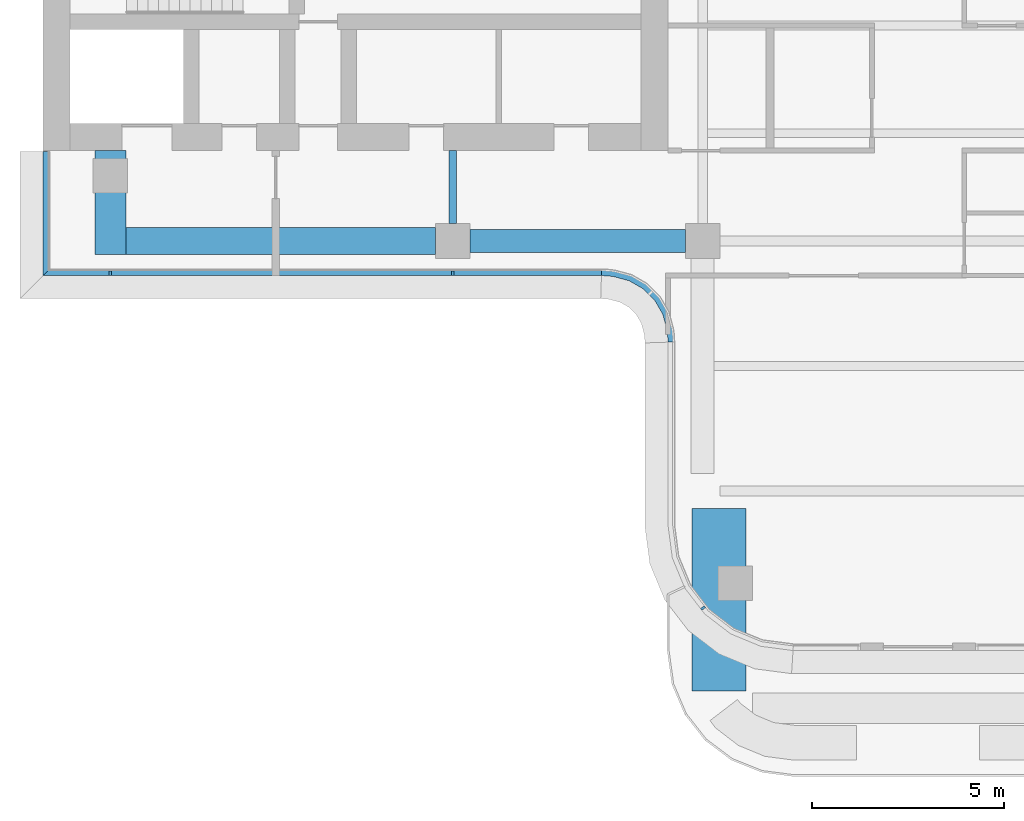
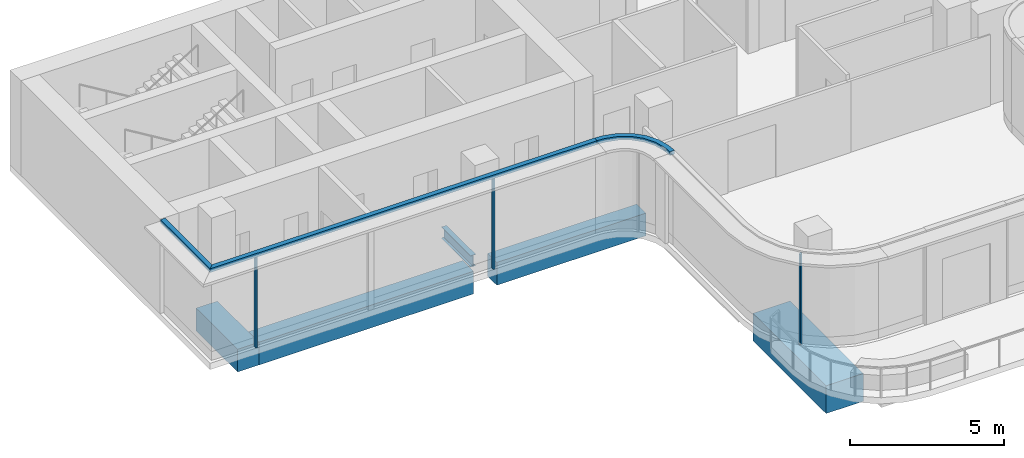
# One storey, part 2 of 11: 6 members, 5 beams, 4 elements without a shape of their own.
"""IFC4 building model written with IfcOpenShell, lengths in metres."""

from ifc_helpers import new_model, si_unit, direction, frame, origin, origin_2d, place, context, subcontext, project, spatial, polyline, rectangle, i_section, outline, extrude, source, transform, mapped, material, layer, layer_set, material_profile, profile_set, type_object, element, aggregate, save


model = new_model("IFC4")

# Units and contexts
model_context = context("Model", 3, precision=1e-05, world=origin(), true_north=direction((0.0, 1.0)))
body_context = subcontext(model_context, "Body", "Model", "MODEL_VIEW")
ifc_project = project(units=[si_unit("LENGTHUNIT", "METRE"), si_unit("AREAUNIT", "SQUARE_METRE"), si_unit("VOLUMEUNIT", "CUBIC_METRE"), si_unit("PLANEANGLEUNIT", "RADIAN"), si_unit("MASSUNIT", "GRAM", prefix="KILO")], contexts=[model_context])

# Site, building, storey
site_placement = place(None, origin())
site = spatial("IfcSite", under=ifc_project, at=site_placement, CompositionType="ELEMENT")
building_placement = place(site_placement, origin())
building = spatial("IfcBuilding", under=site, at=building_placement, Name="Trellis Farm Tower", CompositionType="ELEMENT")
storey_placement = place(building_placement, frame((0.0, 0.0, 346.10009765625)))
storey = spatial("IfcBuildingStorey", under=building, at=storey_placement, Name="L78", CompositionType="ELEMENT", Elevation=346.10009765625)

# Beams
ifc_material_1 = material(Name="Concrete C60/75", Category="concrete")
ifc_material_profile_1 = material_profile(ifc_material_1, rectangle(XDim=0.60009765625, YDim=0.89990234375, at=origin_2d()), Name="RC spandrel beam 600x900 C60/75")
ifc_profile_set_1 = profile_set([ifc_material_profile_1], Name="Concrete C60/75")
beam_type_1 = type_object("IfcBeamType", Name="RC spandrel beam 600x900 C60/75", PredefinedType="SPANDREL", material=ifc_profile_set_1)
shared_shape_1 = source(origin(), body_context, "Body", "SweptSolid", [
    extrude(rectangle(XDim=0.60009765625, YDim=0.89990234375, at=origin_2d()), origin(), (0.0, 0.0, 1.0), 5.599853515625),
])
beam_1_placement = place(storey_placement, frame((-11.64990234375, -5.60009765625, -0.7001953125), z_axis=(1.0, 0.0, 0.0), x_axis=(0.0, 1.0, 0.0)))
element("IfcBeam", 1, at=beam_1_placement, inside=storey, type_object=beam_type_1, Name="Girder", PredefinedType="SPANDREL", context=body_context, shape_type="MappedRepresentation", body=[
    mapped(shared_shape_1, transform((0.0, 0.0, 0.0))),
])
ifc_material_2 = material(Name="Steel S355", Category="steel")
ifc_material_profile_2 = material_profile(ifc_material_2, i_section(OverallWidth=0.1904296875, OverallDepth=0.45703125, WebThickness=0.009033203125, FlangeThickness=0.014404296875, FilletRadius=0.01025390625, at=origin_2d()), Name="UB 457x191x74")
ifc_profile_set_2 = profile_set([ifc_material_profile_2], Name="Steel S355")
beam_type_2 = type_object("IfcBeamType", Name="UB 457x191x74", PredefinedType="BEAM", material=ifc_profile_set_2)
shared_shape_2 = source(origin(), body_context, "Body", "SweptSolid", [
    extrude(i_section(OverallWidth=0.1904296875, OverallDepth=0.45703125, WebThickness=0.009033203125, FlangeThickness=0.014404296875, FilletRadius=0.01025390625, at=origin_2d()), origin(), (0.0, 0.0, 1.0), 1.89990234375),
])
beam_2_placement = place(storey_placement, frame((-12.10009765625, -5.14990234375, -0.478515625), z_axis=(0.0, 1.0, 0.0), x_axis=(-1.0, 0.0, 0.0)))
element("IfcBeam", 2, at=beam_2_placement, inside=storey, type_object=beam_type_2, Name="Girder", PredefinedType="BEAM", context=body_context, shape_type="MappedRepresentation", body=[
    mapped(shared_shape_2, transform((0.0, 0.0, 0.0))),
])
ifc_material_3 = material(Name="Concrete C80/95", Category="concrete")
ifc_material_profile_3 = material_profile(ifc_material_3, rectangle(XDim=1.39990234375, YDim=1.10009765625, at=origin_2d()), Name="RC transfer beam 1400x1100 C80/95")
ifc_profile_set_3 = profile_set([ifc_material_profile_3], Name="Concrete C80/95")
beam_type_3 = type_object("IfcBeamType", Name="RC transfer beam 1400x1100 C80/95", PredefinedType="BEAM", material=ifc_profile_set_3)
shared_shape_3 = source(origin(), body_context, "Body", "SweptSolid", [
    extrude(rectangle(XDim=1.39990234375, YDim=1.10009765625, at=origin_2d()), origin(), (0.0, 0.0, 1.0), 4.75),
])
beam_3_placement = place(storey_placement, frame((-5.175048828125, -17.300048828125, -0.800048828125), z_axis=(0.0, 1.0, 0.0), x_axis=(-1.0, 0.0, 0.0)))
element("IfcBeam", 3, at=beam_3_placement, inside=storey, type_object=beam_type_3, Name="Transfer girder", PredefinedType="BEAM", context=body_context, shape_type="MappedRepresentation", body=[
    mapped(shared_shape_3, transform((0.0, 0.0, 0.0))),
])
ifc_material_profile_4 = material_profile(ifc_material_1, rectangle(XDim=0.699951171875, YDim=0.89990234375, at=origin_2d()), Name="RC spandrel beam 700x900 C60/75")
ifc_profile_set_4 = profile_set([ifc_material_profile_4], Name="Concrete C60/75")
beam_type_4 = type_object("IfcBeamType", Name="RC spandrel beam 700x900 C60/75", PredefinedType="SPANDREL", material=ifc_profile_set_4)
shared_shape_4 = source(origin(), body_context, "Body", "SweptSolid", [
    extrude(rectangle(XDim=0.699951171875, YDim=0.89990234375, at=origin_2d()), origin(), (0.0, 0.0, 1.0), 8.050048828125),
])
beam_4_placement = place(storey_placement, frame((-20.60009765625, -5.60009765625, -0.7001953125), z_axis=(1.0, 0.0, 0.0), x_axis=(0.0, 1.0, 0.0)))
element("IfcBeam", 4, at=beam_4_placement, inside=storey, type_object=beam_type_4, Name="Girder", PredefinedType="SPANDREL", context=body_context, shape_type="MappedRepresentation", body=[
    mapped(shared_shape_4, transform((0.0, 0.0, 0.0))),
])
ifc_material_profile_5 = material_profile(ifc_material_1, rectangle(XDim=0.800048828125, YDim=0.89990234375, at=origin_2d()), Name="RC spandrel beam 800x900 C60/75")
ifc_profile_set_5 = profile_set([ifc_material_profile_5], Name="Concrete C60/75")
beam_type_5 = type_object("IfcBeamType", Name="RC spandrel beam 800x900 C60/75", PredefinedType="SPANDREL", material=ifc_profile_set_5)
shared_shape_5 = source(origin(), body_context, "Body", "SweptSolid", [
    extrude(rectangle(XDim=0.800048828125, YDim=0.89990234375, at=origin_2d()), origin(), (0.0, 0.0, 1.0), 2.699951171875),
])
beam_5_placement = place(storey_placement, frame((-21.0, -5.949951171875, -0.7001953125), z_axis=(0.0, 1.0, 0.0), x_axis=(-1.0, 0.0, 0.0)))
element("IfcBeam", 5, at=beam_5_placement, inside=storey, type_object=beam_type_5, Name="Girder", PredefinedType="SPANDREL", context=body_context, shape_type="MappedRepresentation", body=[
    mapped(shared_shape_5, transform((0.0, 0.0, 0.0))),
])

# Curtain wall, member
ifc_material_4 = material(Name="Aluminium and glass curtain wall", Category="aluminium")
ifc_layer_1 = layer(ifc_material_4, 0.176025390625)
ifc_layer_set_1 = layer_set([ifc_layer_1], Name="CROWN LANTERN CURTAIN WALL CW5")
curtain_wall_type = type_object("IfcCurtainWallType", Name="CROWN LANTERN CURTAIN WALL CW5", PredefinedType="NOTDEFINED", material=ifc_layer_set_1)
placement_1 = place(storey_placement, origin())
curtain_wall_1 = element("IfcCurtainWall", 6, at=placement_1, inside=storey, type_object=curtain_wall_type, Name="CW5 001", PredefinedType="NOTDEFINED")
ifc_material_5 = material(Name="Aluminium extrusion 6063-T6", Category="aluminium")
ifc_material_profile_6 = material_profile(ifc_material_5, rectangle(XDim=0.06005859375, YDim=0.1201171875, at=origin_2d()), Name="MULLION 60x120")
ifc_profile_set_6 = profile_set([ifc_material_profile_6], Name="Aluminium extrusion 6063-T6")
member_type_1 = type_object("IfcMemberType", Name="CW5 MULLION 60x120", PredefinedType="MULLION", material=ifc_profile_set_6)
shared_shape_6 = source(origin(), body_context, "Body", "SweptSolid", [
    extrude(rectangle(XDim=0.06005859375, YDim=0.1201171875, at=origin_2d()), origin(), (0.0, 0.0, 1.0), 3.599853515625),
])
member_1_placement = place(storey_placement, frame((-5.590087890625, -15.144775390625, 0.0), z_axis=(0.0, 0.0, 1.0), x_axis=(0.608761429009, -0.793353340291, 0.0)))
member_1 = element("IfcMember", 7, at=member_1_placement, type_object=member_type_1, Name="MU5 001-01", PredefinedType="MULLION", context=body_context, shape_type="MappedRepresentation", body=[
    mapped(shared_shape_6, transform((0.0, 0.0, 0.0))),
])
aggregate(curtain_wall_1, [member_1])

# Curtain wall, members
curtain_wall_2 = element("IfcCurtainWall", 8, at=placement_1, inside=storey, type_object=curtain_wall_type, Name="CW5 015", PredefinedType="NOTDEFINED")
member_2_placement = place(storey_placement, frame((-21.0, -6.43994140625, 0.0), z_axis=(0.0, 0.0, 1.0), x_axis=(1.0, 0.0, 0.0)))
member_2 = element("IfcMember", 9, at=member_2_placement, type_object=member_type_1, Name="MU5 015-01", PredefinedType="MULLION", context=body_context, shape_type="MappedRepresentation", body=[
    mapped(shared_shape_6, transform((0.0, 0.0, 0.0))),
])
member_3_placement = place(storey_placement, frame((-12.10009765625, -6.43994140625, 0.0), z_axis=(0.0, 0.0, 1.0), x_axis=(1.0, 0.0, 0.0)))
member_3 = element("IfcMember", 10, at=member_3_placement, type_object=member_type_1, Name="MU5 015-02", PredefinedType="MULLION", context=body_context, shape_type="MappedRepresentation", body=[
    mapped(shared_shape_6, transform((0.0, 0.0, 0.0))),
])
ifc_layer_2 = layer(ifc_material_5, 0.176025390625)
ifc_layer_set_2 = layer_set([ifc_layer_2], Name="Aluminium extrusion 6063-T6")
member_type_2 = type_object("IfcMemberType", Name="CW5 TRANSOM 176x150", PredefinedType="USERDEFINED", material=ifc_layer_set_2)
shared_shape_7 = source(origin(), body_context, "Body", "SweptSolid", [
    extrude(outline(polyline([(-22.75, -6.5), (-8.2314453125, -6.5), (-8.2255859375, -6.323974609375), (-22.573974609375, -6.323974609375), (-22.75, -6.5)])), origin(), (0.0, 0.0, 1.0), 0.150146484375),
])
placement_2 = place(storey_placement, frame((0.0, 0.0, 3.599853515625)))
member_4 = element("IfcMember", 11, at=placement_2, type_object=member_type_2, Name="TR5 015", ObjectType="TRANSOM", PredefinedType="USERDEFINED", context=body_context, shape_type="MappedRepresentation", body=[
    mapped(shared_shape_7, transform((0.0, 0.0, 0.0))),
])
aggregate(curtain_wall_2, [member_2, member_3, member_4])

# Curtain wall, member
curtain_wall_3 = element("IfcCurtainWall", 12, at=placement_1, inside=storey, type_object=curtain_wall_type, Name="CW5 016", PredefinedType="NOTDEFINED")
shared_shape_8 = source(origin(), body_context, "Body", "SweptSolid", [
    extrude(outline(polyline([(-8.2314453125, -6.5), (-8.01953125, -6.513916015625), (-7.91552734375, -6.527587890625), (-7.508544921875, -6.63671875), (-7.144287109375, -6.846923828125), (-6.846923828125, -7.144287109375), (-6.63671875, -7.508544921875), (-6.527587890625, -7.91552734375), (-6.513916015625, -8.01953125), (-6.5, -8.2314453125), (-6.323974609375, -8.2255859375), (-6.338623046875, -8.002197265625), (-6.3544921875, -7.881103515625), (-6.47265625, -7.440673828125), (-6.7060546875, -7.0361328125), (-7.0361328125, -6.7060546875), (-7.440673828125, -6.47265625), (-7.881103515625, -6.3544921875), (-8.002197265625, -6.338623046875), (-8.2255859375, -6.323974609375), (-8.2314453125, -6.5)])), origin(), (0.0, 0.0, 1.0), 0.150146484375),
])
member_5 = element("IfcMember", 13, at=placement_2, type_object=member_type_2, Name="TR5 016", ObjectType="TRANSOM", PredefinedType="USERDEFINED", context=body_context, shape_type="MappedRepresentation", body=[
    mapped(shared_shape_8, transform((0.0, 0.0, 0.0))),
])
aggregate(curtain_wall_3, [member_5])

curtain_wall_4 = element("IfcCurtainWall", 14, at=placement_1, inside=storey, type_object=curtain_wall_type, Name="CW5 014", PredefinedType="NOTDEFINED")
shared_shape_9 = source(origin(), body_context, "Body", "SweptSolid", [
    extrude(outline(polyline([(-22.75, -3.280029296875), (-22.75, -6.5), (-22.573974609375, -6.323974609375), (-22.573974609375, -3.280029296875), (-22.75, -3.280029296875)])), origin(), (0.0, 0.0, 1.0), 0.150146484375),
])
member_6 = element("IfcMember", 15, at=placement_2, type_object=member_type_2, Name="TR5 014", ObjectType="TRANSOM", PredefinedType="USERDEFINED", context=body_context, shape_type="MappedRepresentation", body=[
    mapped(shared_shape_9, transform((0.0, 0.0, 0.0))),
])
aggregate(curtain_wall_4, [member_6])

save(model, "model.ifc")
